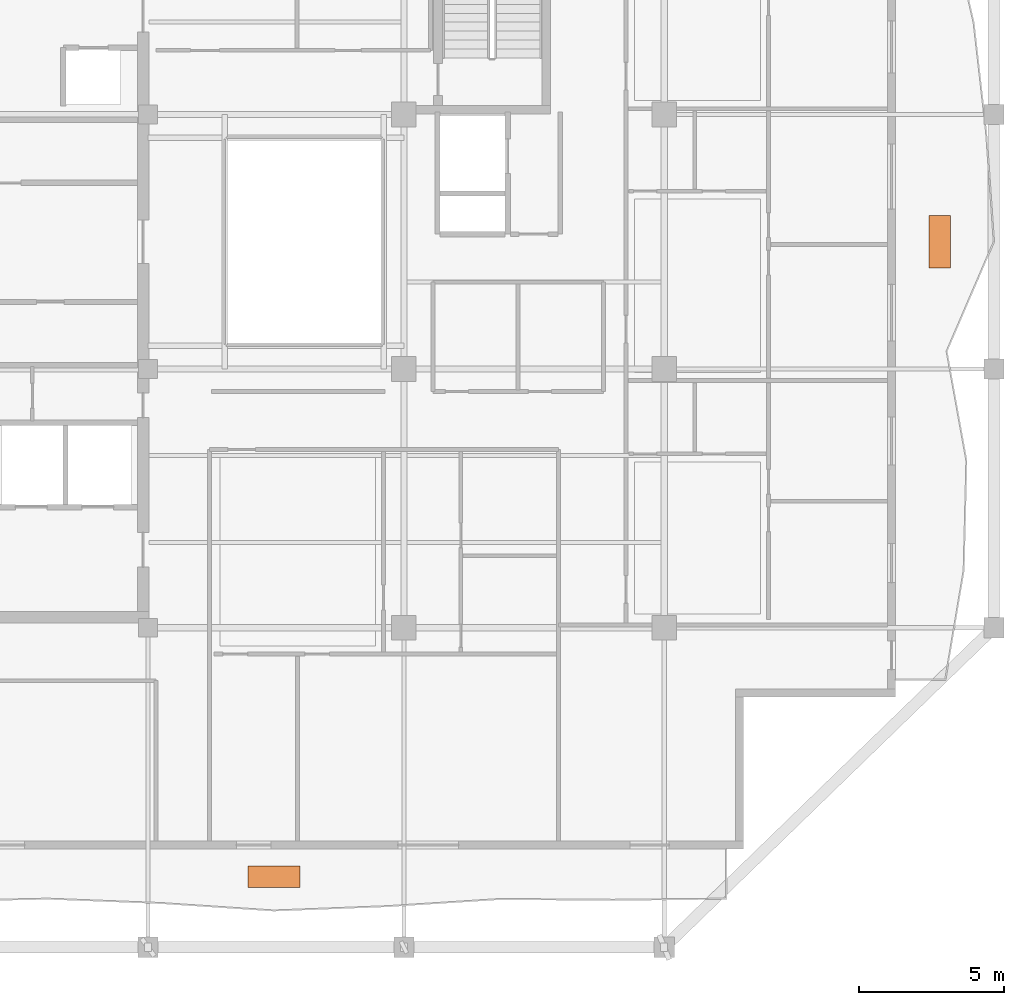
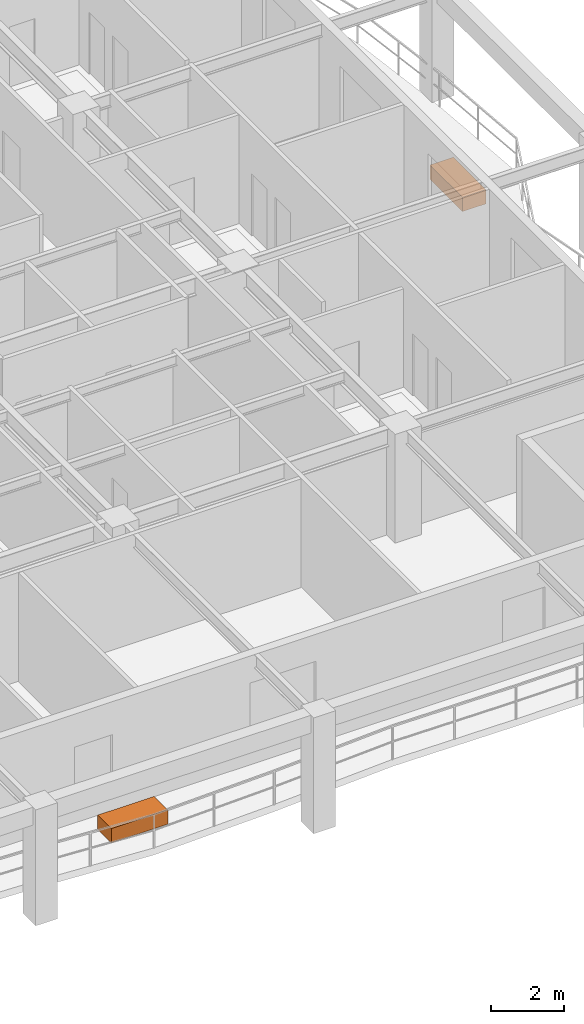
# One storey, part 13 of 13: 2 proxies.
"""IFC4 building model written with IfcOpenShell, lengths in metres."""

from ifc_helpers import new_model, si_unit, direction, frame, origin, origin_2d, place, context, subcontext, project, spatial, rectangle, extrude, material, type_object, element, save


model = new_model("IFC4")

# Units and contexts
model_context = context("Model", 3, precision=1e-05, world=origin(), true_north=direction((0.0, 1.0)))
body_context = subcontext(model_context, "Body", "Model", "MODEL_VIEW")
ifc_project = project(units=[si_unit("LENGTHUNIT", "METRE"), si_unit("AREAUNIT", "SQUARE_METRE"), si_unit("VOLUMEUNIT", "CUBIC_METRE"), si_unit("PLANEANGLEUNIT", "RADIAN"), si_unit("MASSUNIT", "GRAM", prefix="KILO")], contexts=[model_context])

# Site, building, storey
site_placement = place(None, origin())
site = spatial("IfcSite", under=ifc_project, at=site_placement, CompositionType="ELEMENT")
building_placement = place(site_placement, origin())
building = spatial("IfcBuilding", under=site, at=building_placement, Name="Kundavana Baori Tower", CompositionType="ELEMENT")
storey_placement = place(building_placement, frame((0.0, 0.0, 229.699951171875)))
storey = spatial("IfcBuildingStorey", under=building, at=storey_placement, Name="L56", CompositionType="ELEMENT", Elevation=229.699951171875)

# Proxies
ifc_material = material(Name="Red-Buff Dholpur Sandstone Cladding on Concrete C40/50", Category="masonry")
building_element_proxy_type = type_object("IfcBuildingElementProxyType", Name="PRX-PLANTER-1800", PredefinedType="USERDEFINED", material=ifc_material)
for number, where, z_axis, x_axis, name in (
    (1, (29.300048828125, 6.64111328125, 0.0), (0.0, 0.0, 1.0), (1.0, 0.0, 0.0), "L56 Dholpur Stone Structural Tree Planter S"),
    (2, (52.330078125, 28.60009765625, 0.0), (0.0, 0.0, 1.0), (0.0, 1.0, 0.0), "L56 Dholpur Stone Structural Tree Planter E"),
):
    element("IfcBuildingElementProxy", number, at=place(storey_placement, frame(where, z_axis=z_axis, x_axis=x_axis)), inside=storey, type_object=building_element_proxy_type, Name=name, ObjectType="PLANTER", PredefinedType="USERDEFINED", context=body_context, shape_type="SweptSolid", body=[
        extrude(rectangle(XDim=1.800048828125, YDim=0.75, at=origin_2d()), origin(), (0.0, 0.0, 1.0), 0.47998046875),
    ])

save(model, "model.ifc")
